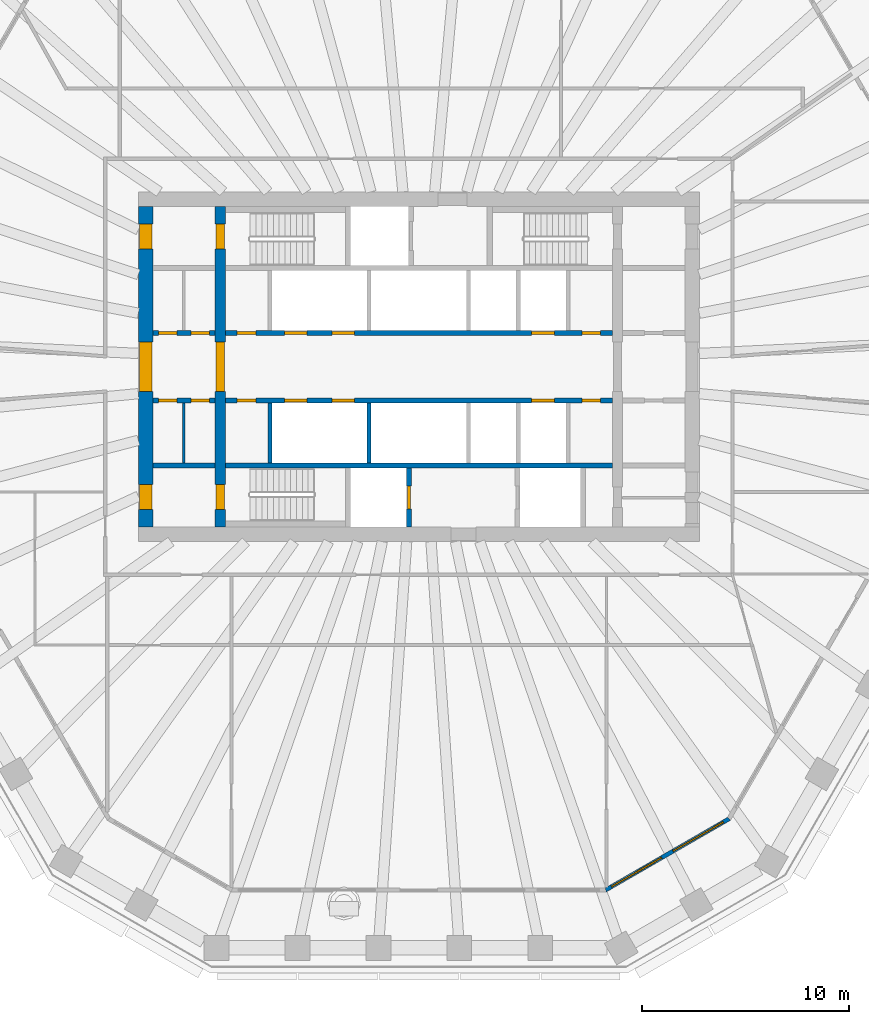
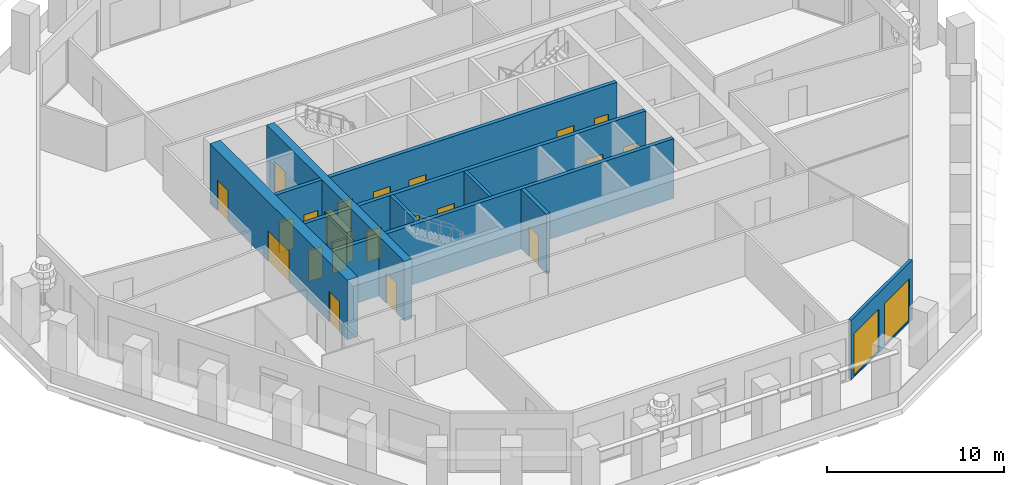
# One storey, part 4 of 12: 21 doors, 13 walls, 2 windows, 23 openings.
"""IFC4 building model written with IfcOpenShell, lengths in metres."""

from ifc_helpers import new_model, si_unit, direction, frame, frame_2d, origin, place, context, subcontext, project, spatial, polyline, rectangle, outline, extrude, material, layer, layer_set, type_object, element, fill, save


model = new_model("IFC4")

# Units and contexts
model_context = context("Model", 3, precision=1e-05, world=origin(), true_north=direction((0.0, 1.0)))
body_context = subcontext(model_context, "Body", "Model", "MODEL_VIEW")
ifc_project = project(units=[si_unit("LENGTHUNIT", "METRE"), si_unit("AREAUNIT", "SQUARE_METRE"), si_unit("VOLUMEUNIT", "CUBIC_METRE"), si_unit("PLANEANGLEUNIT", "RADIAN"), si_unit("MASSUNIT", "GRAM", prefix="KILO")], contexts=[model_context])

# Site, building, storey
site_placement = place(None, origin())
site = spatial("IfcSite", under=ifc_project, at=site_placement, CompositionType="ELEMENT")
building_placement = place(site_placement, origin())
building = spatial("IfcBuilding", under=site, at=building_placement, Name="Frailejon Research Tower", CompositionType="ELEMENT")
storey_placement = place(building_placement, frame((0.0, 0.0, 193.60009765625)))
storey = spatial("IfcBuildingStorey", under=building, at=storey_placement, Name="L42", CompositionType="ELEMENT", Elevation=193.60009765625)

# Wall
ifc_material_1 = material(Name="Plasterboard on steel studs", Category="steel")
ifc_layer_1 = layer(ifc_material_1, 0.125)
ifc_layer_set_1 = layer_set([ifc_layer_1], Name="Core partition 125")
wall_type_1 = type_object("IfcWallType", Name="Core partition 125", PredefinedType="PARTITIONING", material=ifc_layer_set_1)
wall_1_placement = place(storey_placement, frame((-11.35009765625, -4.64990234375, 0.0), z_axis=(0.0, 0.0, 1.0), x_axis=(0.0, 1.0, 0.0)))
element("IfcWall", 1, at=wall_1_placement, inside=storey, type_object=wall_type_1, Name="Core partition", PredefinedType="PARTITIONING", context=body_context, shape_type="SweptSolid", body=[
    extrude(rectangle(XDim=2.89990234375, YDim=0.125, at=frame_2d((1.449951171875, 0.0))), origin(), (0.0, 0.0, 1.0), 4.099853515625),
])

# Wall, openings, doors
ifc_material_2 = material(Name="Concrete C60/75", Category="concrete")
ifc_layer_2 = layer(ifc_material_2, 0.5)
ifc_layer_set_2 = layer_set([ifc_layer_2], Name="Core shear wall 500 C60/75")
wall_type_2 = type_object("IfcWallType", Name="Core shear wall 500 C60/75", PredefinedType="SHEAR", material=ifc_layer_set_2)
wall_2_placement = place(storey_placement, frame((-9.60009765625, -7.75, 0.0), z_axis=(0.0, 0.0, 1.0), x_axis=(0.0, 1.0, 0.0)))
wall_2 = element("IfcWall", 2, at=wall_2_placement, inside=storey, type_object=wall_type_2, Name="Core shear wall", PredefinedType="SHEAR", context=body_context, shape_type="SweptSolid", body=[
    extrude(rectangle(XDim=15.5, YDim=0.5, at=frame_2d((7.75, 0.0))), origin(), (0.0, 0.0, 1.0), 4.099853515625),
])
opening_1_placement = place(wall_2_placement, frame((6.550048828125, 0.0, 0.0)))
opening_1 = element("IfcOpeningElement", 3, at=opening_1_placement, cuts=wall_2, Name="Opening D2", PredefinedType="OPENING", context=body_context, shape_type="SweptSolid", body=[
    extrude(rectangle(XDim=2.39990234375, YDim=2.10009765625, at=frame_2d((1.199951171875, 1.050048828125))), frame((0.0, 0.260009765625, 0.0), z_axis=(0.0, -1.0, 0.0), x_axis=(1.0, 0.0, 0.0)), (0.0, 0.0, 1.0), 0.52001953125),
])
opening_2_placement = place(wall_2_placement, frame((13.449951171875, 0.0, 0.0)))
opening_2 = element("IfcOpeningElement", 4, at=opening_2_placement, cuts=wall_2, Name="Opening D1", PredefinedType="OPENING", context=body_context, shape_type="SweptSolid", body=[
    extrude(rectangle(XDim=1.199951171875, YDim=2.10009765625, at=frame_2d((0.60009765625, 1.050048828125))), frame((0.0, 0.260009765625, 0.0), z_axis=(0.0, -1.0, 0.0), x_axis=(1.0, 0.0, 0.0)), (0.0, 0.0, 1.0), 0.52001953125),
])
opening_3_placement = place(wall_2_placement, frame((0.85009765625, 0.0, 0.0)))
opening_3 = element("IfcOpeningElement", 5, at=opening_3_placement, cuts=wall_2, Name="Opening D1", PredefinedType="OPENING", context=body_context, shape_type="SweptSolid", body=[
    extrude(rectangle(XDim=1.199951171875, YDim=2.10009765625, at=frame_2d((0.60009765625, 1.050048828125))), frame((0.0, 0.260009765625, 0.0), z_axis=(0.0, -1.0, 0.0), x_axis=(1.0, 0.0, 0.0)), (0.0, 0.0, 1.0), 0.52001953125),
])
ifc_material_3 = material(Name="Steel", Category="steel")
door_type_1 = type_object("IfcDoorType", Name="Lobby double door", OperationType="DOUBLE_DOOR_SINGLE_SWING", PredefinedType="DOOR", material=ifc_material_3)
door_1_placement = place(opening_1_placement, origin())
door_1 = element("IfcDoor", 6, at=door_1_placement, inside=storey, type_object=door_type_1, Name="Lobby door", OperationType="DOUBLE_DOOR_SINGLE_SWING", OverallHeight=2.10009765625, OverallWidth=2.39990234375, PredefinedType="DOOR", context=body_context, shape_type="SweptSolid", body=[
    extrude(rectangle(XDim=2.39990234375, YDim=2.10009765625, at=frame_2d((1.199951171875, 1.050048828125))), frame((0.0, 0.199951171875, 0.0), z_axis=(0.0, -1.0, 0.0), x_axis=(1.0, 0.0, 0.0)), (0.0, 0.0, 1.0), 0.39990234375),
])
fill(opening_1, door_1)
ifc_material_4 = material(Name="Steel", Category="steel")
door_type_2 = type_object("IfcDoorType", Name="Stair door", OperationType="SINGLE_SWING_LEFT", PredefinedType="DOOR", material=ifc_material_4)
door_2_placement = place(opening_2_placement, origin())
door_2 = element("IfcDoor", 7, at=door_2_placement, inside=storey, type_object=door_type_2, Name="Stair door ST1", OperationType="SINGLE_SWING_LEFT", OverallHeight=2.10009765625, OverallWidth=1.199951171875, PredefinedType="DOOR", context=body_context, shape_type="SweptSolid", body=[
    extrude(rectangle(XDim=1.199951171875, YDim=2.10009765625, at=frame_2d((0.60009765625, 1.050048828125))), frame((0.0, 0.199951171875, 0.0), z_axis=(0.0, -1.0, 0.0), x_axis=(1.0, 0.0, 0.0)), (0.0, 0.0, 1.0), 0.39990234375),
])
fill(opening_2, door_2)
door_3_placement = place(opening_3_placement, origin())
door_3 = element("IfcDoor", 8, at=door_3_placement, inside=storey, type_object=door_type_2, Name="Stair door ST2", OperationType="SINGLE_SWING_LEFT", OverallHeight=2.10009765625, OverallWidth=1.199951171875, PredefinedType="DOOR", context=body_context, shape_type="SweptSolid", body=[
    extrude(rectangle(XDim=1.199951171875, YDim=2.10009765625, at=frame_2d((0.60009765625, 1.050048828125))), frame((0.0, 0.199951171875, 0.0), z_axis=(0.0, -1.0, 0.0), x_axis=(1.0, 0.0, 0.0)), (0.0, 0.0, 1.0), 0.39990234375),
])
fill(opening_3, door_3)

ifc_material_5 = material(Name="Concrete C60/75", Category="concrete")
ifc_layer_3 = layer(ifc_material_5, 0.699951171875)
ifc_layer_set_3 = layer_set([ifc_layer_3], Name="Core shear wall 700 C60/75")
wall_type_3 = type_object("IfcWallType", Name="Core shear wall 700 C60/75", PredefinedType="SHEAR", material=ifc_layer_set_3)
wall_3_placement = place(storey_placement, frame((-13.199951171875, -7.75, 0.0), z_axis=(0.0, 0.0, 1.0), x_axis=(0.0, 1.0, 0.0)))
wall_3 = element("IfcWall", 9, at=wall_3_placement, inside=storey, type_object=wall_type_3, Name="Core shear wall", PredefinedType="SHEAR", context=body_context, shape_type="SweptSolid", body=[
    extrude(rectangle(XDim=15.5, YDim=0.699951171875, at=frame_2d((7.75, 0.0))), origin(), (0.0, 0.0, 1.0), 4.099853515625),
])
opening_4_placement = place(wall_3_placement, frame((6.550048828125, 0.0, 0.0)))
opening_4 = element("IfcOpeningElement", 10, at=opening_4_placement, cuts=wall_3, Name="Opening D2", PredefinedType="OPENING", context=body_context, shape_type="SweptSolid", body=[
    extrude(rectangle(XDim=2.39990234375, YDim=2.10009765625, at=frame_2d((1.199951171875, 1.050048828125))), frame((0.0, 0.35986328125, 0.0), z_axis=(0.0, -1.0, 0.0), x_axis=(1.0, 0.0, 0.0)), (0.0, 0.0, 1.0), 0.719970703125),
])
opening_5_placement = place(wall_3_placement, frame((13.449951171875, 0.0, 0.0)))
opening_5 = element("IfcOpeningElement", 11, at=opening_5_placement, cuts=wall_3, Name="Opening D7", PredefinedType="OPENING", context=body_context, shape_type="SweptSolid", body=[
    extrude(rectangle(XDim=1.199951171875, YDim=2.10009765625, at=frame_2d((0.60009765625, 1.050048828125))), frame((0.0, 0.35986328125, 0.0), z_axis=(0.0, -1.0, 0.0), x_axis=(1.0, 0.0, 0.0)), (0.0, 0.0, 1.0), 0.719970703125),
])
opening_6_placement = place(wall_3_placement, frame((0.85009765625, 0.0, 0.0)))
opening_6 = element("IfcOpeningElement", 12, at=opening_6_placement, cuts=wall_3, Name="Opening D7", PredefinedType="OPENING", context=body_context, shape_type="SweptSolid", body=[
    extrude(rectangle(XDim=1.199951171875, YDim=2.10009765625, at=frame_2d((0.60009765625, 1.050048828125))), frame((0.0, 0.35986328125, 0.0), z_axis=(0.0, -1.0, 0.0), x_axis=(1.0, 0.0, 0.0)), (0.0, 0.0, 1.0), 0.719970703125),
])
door_4_placement = place(opening_4_placement, origin())
door_4 = element("IfcDoor", 13, at=door_4_placement, inside=storey, type_object=door_type_1, Name="Lobby door", OperationType="DOUBLE_DOOR_SINGLE_SWING", OverallHeight=2.10009765625, OverallWidth=2.39990234375, PredefinedType="DOOR", context=body_context, shape_type="SweptSolid", body=[
    extrude(rectangle(XDim=2.39990234375, YDim=2.10009765625, at=frame_2d((1.199951171875, 1.050048828125))), frame((0.0, 0.300048828125, 0.0), z_axis=(0.0, -1.0, 0.0), x_axis=(1.0, 0.0, 0.0)), (0.0, 0.0, 1.0), 0.60009765625),
])
fill(opening_4, door_4)
ifc_material_6 = material(Name="Steel", Category="steel")
door_type_3 = type_object("IfcDoorType", Name="Stair exit door", OperationType="SINGLE_SWING_LEFT", PredefinedType="DOOR", material=ifc_material_6)
door_5_placement = place(opening_5_placement, origin())
door_5 = element("IfcDoor", 14, at=door_5_placement, inside=storey, type_object=door_type_3, Name="Stair exit door ST1", OperationType="SINGLE_SWING_RIGHT", OverallHeight=2.10009765625, OverallWidth=1.199951171875, PredefinedType="DOOR", context=body_context, shape_type="SweptSolid", body=[
    extrude(rectangle(XDim=1.199951171875, YDim=2.10009765625, at=frame_2d((0.60009765625, 1.050048828125))), frame((0.0, 0.300048828125, 0.0), z_axis=(0.0, -1.0, 0.0), x_axis=(1.0, 0.0, 0.0)), (0.0, 0.0, 1.0), 0.60009765625),
])
fill(opening_5, door_5)
door_6_placement = place(opening_6_placement, origin())
door_6 = element("IfcDoor", 15, at=door_6_placement, inside=storey, type_object=door_type_3, Name="Stair exit door ST2", OperationType="SINGLE_SWING_RIGHT", OverallHeight=2.10009765625, OverallWidth=1.199951171875, PredefinedType="DOOR", context=body_context, shape_type="SweptSolid", body=[
    extrude(rectangle(XDim=1.199951171875, YDim=2.10009765625, at=frame_2d((0.60009765625, 1.050048828125))), frame((0.0, 0.300048828125, 0.0), z_axis=(0.0, -1.0, 0.0), x_axis=(1.0, 0.0, 0.0)), (0.0, 0.0, 1.0), 0.60009765625),
])
fill(opening_6, door_6)

# Walls
ifc_material_7 = material(Name="Concrete C60/75", Category="concrete")
ifc_layer_4 = layer(ifc_material_7, 0.199951171875)
ifc_layer_set_4 = layer_set([ifc_layer_4], Name="Shaft wall 200 C60/75")
wall_type_4 = type_object("IfcWallType", Name="Shaft wall 200 C60/75", PredefinedType="SOLIDWALL", material=ifc_layer_set_4)
for number, where, z_axis, x_axis, name in (
    (16, (-7.199951171875, -4.64990234375, 0.0), (0.0, 0.0, 1.0), (0.0, 1.0, 0.0), "Shaft wall"),
    (17, (-2.39990234375, -4.64990234375, 0.0), (0.0, 0.0, 1.0), (0.0, 1.0, 0.0), "Shaft wall"),
):
    element("IfcWall", number, at=place(storey_placement, frame(where, z_axis=z_axis, x_axis=x_axis)), inside=storey, type_object=wall_type_4, Name=name, PredefinedType="SOLIDWALL", context=body_context, shape_type="SweptSolid", body=[
        extrude(rectangle(XDim=2.89990234375, YDim=0.199951171875, at=frame_2d((1.449951171875, 0.0))), origin(), (0.0, 0.0, 1.0), 4.099853515625),
    ])

# Wall, openings, doors
ifc_material_8 = material(Name="Concrete C60/75", Category="concrete")
ifc_layer_5 = layer(ifc_material_8, 0.25)
ifc_layer_set_5 = layer_set([ifc_layer_5], Name="Shaft wall 250 C60/75")
wall_type_5 = type_object("IfcWallType", Name="Shaft wall 250 C60/75", PredefinedType="SOLIDWALL", material=ifc_layer_set_5)
wall_4_placement = place(storey_placement, frame((-12.85009765625, 1.625, 0.0), z_axis=(0.0, 0.0, 1.0), x_axis=(1.0, 0.0, 0.0)))
wall_4 = element("IfcWall", 18, at=wall_4_placement, inside=storey, type_object=wall_type_5, Name="Shaft wall", PredefinedType="SOLIDWALL", context=body_context, shape_type="SweptSolid", body=[
    extrude(rectangle(XDim=3.0, YDim=0.25, at=frame_2d((1.5, 0.0))), origin(), (0.0, 0.0, 1.0), 4.099853515625),
])
opening_7_placement = place(wall_4_placement, frame((0.268798828125, 0.0, 0.0)))
opening_7 = element("IfcOpeningElement", 19, at=opening_7_placement, cuts=wall_4, Name="Opening D8", PredefinedType="OPENING", context=body_context, shape_type="SweptSolid", body=[
    extrude(rectangle(XDim=0.89990234375, YDim=2.10009765625, at=frame_2d((0.449951171875, 1.050048828125))), frame((0.0, 0.135009765625, 0.0), z_axis=(0.0, -1.0, 0.0), x_axis=(1.0, 0.0, 0.0)), (0.0, 0.0, 1.0), 0.27001953125),
])
opening_8_placement = place(wall_4_placement, frame((1.831298828125, 0.0, 0.0)))
opening_8 = element("IfcOpeningElement", 20, at=opening_8_placement, cuts=wall_4, Name="Opening D8", PredefinedType="OPENING", context=body_context, shape_type="SweptSolid", body=[
    extrude(rectangle(XDim=0.89990234375, YDim=2.10009765625, at=frame_2d((0.449951171875, 1.050048828125))), frame((0.0, 0.135009765625, 0.0), z_axis=(0.0, -1.0, 0.0), x_axis=(1.0, 0.0, 0.0)), (0.0, 0.0, 1.0), 0.27001953125),
])
ifc_material_9 = material(Name="Steel", Category="steel")
door_type_4 = type_object("IfcDoorType", Name="Core room door", OperationType="SINGLE_SWING_LEFT", PredefinedType="DOOR", material=ifc_material_9)
door_7_placement = place(opening_7_placement, origin())
door_7 = element("IfcDoor", 21, at=door_7_placement, inside=storey, type_object=door_type_4, Name="Room door", OperationType="SINGLE_SWING_RIGHT", OverallHeight=2.10009765625, OverallWidth=0.89990234375, PredefinedType="DOOR", context=body_context, shape_type="SweptSolid", body=[
    extrude(rectangle(XDim=0.89990234375, YDim=2.10009765625, at=frame_2d((0.449951171875, 1.050048828125))), frame((0.0, 0.074951171875, 0.0), z_axis=(0.0, -1.0, 0.0), x_axis=(1.0, 0.0, 0.0)), (0.0, 0.0, 1.0), 0.14990234375),
])
fill(opening_7, door_7)
door_8_placement = place(opening_8_placement, origin())
door_8 = element("IfcDoor", 22, at=door_8_placement, inside=storey, type_object=door_type_4, Name="Room door", OperationType="SINGLE_SWING_LEFT", OverallHeight=2.10009765625, OverallWidth=0.89990234375, PredefinedType="DOOR", context=body_context, shape_type="SweptSolid", body=[
    extrude(rectangle(XDim=0.89990234375, YDim=2.10009765625, at=frame_2d((0.449951171875, 1.050048828125))), frame((0.0, 0.074951171875, 0.0), z_axis=(0.0, -1.0, 0.0), x_axis=(1.0, 0.0, 0.0)), (0.0, 0.0, 1.0), 0.14990234375),
])
fill(opening_8, door_8)

wall_5_placement = place(storey_placement, frame((-9.35009765625, 1.625, 0.0), z_axis=(0.0, 0.0, 1.0), x_axis=(1.0, 0.0, 0.0)))
wall_5 = element("IfcWall", 23, at=wall_5_placement, inside=storey, type_object=wall_type_5, Name="Shaft wall", PredefinedType="SOLIDWALL", context=body_context, shape_type="SweptSolid", body=[
    extrude(rectangle(XDim=18.7001953125, YDim=0.25, at=frame_2d((9.35009765625, 0.0))), origin(), (0.0, 0.0, 1.0), 4.099853515625),
])
opening_9_placement = place(wall_5_placement, frame((2.85009765625, 0.0, 0.0)))
opening_9 = element("IfcOpeningElement", 24, at=opening_9_placement, cuts=wall_5, Name="Opening LD", PredefinedType="OPENING", context=body_context, shape_type="SweptSolid", body=[
    extrude(rectangle(XDim=1.10009765625, YDim=2.10009765625, at=frame_2d((0.550048828125, 1.050048828125))), frame((0.0, 0.135009765625, 0.0), z_axis=(0.0, -1.0, 0.0), x_axis=(1.0, 0.0, 0.0)), (0.0, 0.0, 1.0), 0.27001953125),
])
opening_10_placement = place(wall_5_placement, frame((5.14990234375, 0.0, 0.0)))
opening_10 = element("IfcOpeningElement", 25, at=opening_10_placement, cuts=wall_5, Name="Opening LD", PredefinedType="OPENING", context=body_context, shape_type="SweptSolid", body=[
    extrude(rectangle(XDim=1.10009765625, YDim=2.10009765625, at=frame_2d((0.550048828125, 1.050048828125))), frame((0.0, 0.135009765625, 0.0), z_axis=(0.0, -1.0, 0.0), x_axis=(1.0, 0.0, 0.0)), (0.0, 0.0, 1.0), 0.27001953125),
])
opening_11_placement = place(wall_5_placement, frame((14.800048828125, 0.0, 0.0)))
opening_11 = element("IfcOpeningElement", 26, at=opening_11_placement, cuts=wall_5, Name="Opening LD", PredefinedType="OPENING", context=body_context, shape_type="SweptSolid", body=[
    extrude(rectangle(XDim=1.10009765625, YDim=2.10009765625, at=frame_2d((0.550048828125, 1.050048828125))), frame((0.0, 0.135009765625, 0.0), z_axis=(0.0, -1.0, 0.0), x_axis=(1.0, 0.0, 0.0)), (0.0, 0.0, 1.0), 0.27001953125),
])
opening_12_placement = place(wall_5_placement, frame((0.574951171875, 0.0, 0.0)))
opening_12 = element("IfcOpeningElement", 27, at=opening_12_placement, cuts=wall_5, Name="Opening D8", PredefinedType="OPENING", context=body_context, shape_type="SweptSolid", body=[
    extrude(rectangle(XDim=0.89990234375, YDim=2.10009765625, at=frame_2d((0.449951171875, 1.050048828125))), frame((0.0, 0.135009765625, 0.0), z_axis=(0.0, -1.0, 0.0), x_axis=(1.0, 0.0, 0.0)), (0.0, 0.0, 1.0), 0.27001953125),
])
opening_13_placement = place(wall_5_placement, frame((17.22509765625, 0.0, 0.0)))
opening_13 = element("IfcOpeningElement", 28, at=opening_13_placement, cuts=wall_5, Name="Opening D8", PredefinedType="OPENING", context=body_context, shape_type="SweptSolid", body=[
    extrude(rectangle(XDim=0.89990234375, YDim=2.10009765625, at=frame_2d((0.449951171875, 1.050048828125))), frame((0.0, 0.135009765625, 0.0), z_axis=(0.0, -1.0, 0.0), x_axis=(1.0, 0.0, 0.0)), (0.0, 0.0, 1.0), 0.27001953125),
])
door_9_placement = place(opening_12_placement, origin())
door_9 = element("IfcDoor", 29, at=door_9_placement, inside=storey, type_object=door_type_4, Name="Room door", OperationType="SINGLE_SWING_RIGHT", OverallHeight=2.10009765625, OverallWidth=0.89990234375, PredefinedType="DOOR", context=body_context, shape_type="SweptSolid", body=[
    extrude(rectangle(XDim=0.89990234375, YDim=2.10009765625, at=frame_2d((0.449951171875, 1.050048828125))), frame((0.0, 0.074951171875, 0.0), z_axis=(0.0, -1.0, 0.0), x_axis=(1.0, 0.0, 0.0)), (0.0, 0.0, 1.0), 0.14990234375),
])
fill(opening_12, door_9)
door_10_placement = place(opening_13_placement, origin())
door_10 = element("IfcDoor", 30, at=door_10_placement, inside=storey, type_object=door_type_4, Name="Room door", OperationType="SINGLE_SWING_LEFT", OverallHeight=2.10009765625, OverallWidth=0.89990234375, PredefinedType="DOOR", context=body_context, shape_type="SweptSolid", body=[
    extrude(rectangle(XDim=0.89990234375, YDim=2.10009765625, at=frame_2d((0.449951171875, 1.050048828125))), frame((0.0, 0.074951171875, 0.0), z_axis=(0.0, -1.0, 0.0), x_axis=(1.0, 0.0, 0.0)), (0.0, 0.0, 1.0), 0.14990234375),
])
fill(opening_13, door_10)
ifc_material_10 = material(Name="Steel", Category="steel")
door_type_5 = type_object("IfcDoorType", Name="Lift landing door", OperationType="DOUBLE_DOOR_SLIDING", PredefinedType="DOOR", material=ifc_material_10)
door_11_placement = place(opening_9_placement, origin())
door_11 = element("IfcDoor", 31, at=door_11_placement, inside=storey, type_object=door_type_5, Name="Lift landing door", OperationType="DOUBLE_DOOR_SLIDING", OverallHeight=2.10009765625, OverallWidth=1.10009765625, PredefinedType="DOOR", context=body_context, shape_type="SweptSolid", body=[
    extrude(rectangle(XDim=1.10009765625, YDim=2.10009765625, at=frame_2d((0.550048828125, 1.050048828125))), frame((0.0, 0.074951171875, 0.0), z_axis=(0.0, -1.0, 0.0), x_axis=(1.0, 0.0, 0.0)), (0.0, 0.0, 1.0), 0.14990234375),
])
fill(opening_9, door_11)
door_12_placement = place(opening_10_placement, origin())
door_12 = element("IfcDoor", 32, at=door_12_placement, inside=storey, type_object=door_type_5, Name="Lift landing door", OperationType="DOUBLE_DOOR_SLIDING", OverallHeight=2.10009765625, OverallWidth=1.10009765625, PredefinedType="DOOR", context=body_context, shape_type="SweptSolid", body=[
    extrude(rectangle(XDim=1.10009765625, YDim=2.10009765625, at=frame_2d((0.550048828125, 1.050048828125))), frame((0.0, 0.074951171875, 0.0), z_axis=(0.0, -1.0, 0.0), x_axis=(1.0, 0.0, 0.0)), (0.0, 0.0, 1.0), 0.14990234375),
])
fill(opening_10, door_12)
door_13_placement = place(opening_11_placement, origin())
door_13 = element("IfcDoor", 33, at=door_13_placement, inside=storey, type_object=door_type_5, Name="Lift landing door", OperationType="DOUBLE_DOOR_SLIDING", OverallHeight=2.10009765625, OverallWidth=1.10009765625, PredefinedType="DOOR", context=body_context, shape_type="SweptSolid", body=[
    extrude(rectangle(XDim=1.10009765625, YDim=2.10009765625, at=frame_2d((0.550048828125, 1.050048828125))), frame((0.0, 0.074951171875, 0.0), z_axis=(0.0, -1.0, 0.0), x_axis=(1.0, 0.0, 0.0)), (0.0, 0.0, 1.0), 0.14990234375),
])
fill(opening_11, door_13)

wall_6_placement = place(storey_placement, frame((-12.85009765625, -1.625, 0.0), z_axis=(0.0, 0.0, 1.0), x_axis=(1.0, 0.0, 0.0)))
wall_6 = element("IfcWall", 34, at=wall_6_placement, inside=storey, type_object=wall_type_5, Name="Shaft wall", PredefinedType="SOLIDWALL", context=body_context, shape_type="SweptSolid", body=[
    extrude(rectangle(XDim=3.0, YDim=0.25, at=frame_2d((1.5, 0.0))), origin(), (0.0, 0.0, 1.0), 4.099853515625),
])
opening_14_placement = place(wall_6_placement, frame((0.268798828125, 0.0, 0.0)))
opening_14 = element("IfcOpeningElement", 35, at=opening_14_placement, cuts=wall_6, Name="Opening D8", PredefinedType="OPENING", context=body_context, shape_type="SweptSolid", body=[
    extrude(rectangle(XDim=0.89990234375, YDim=2.10009765625, at=frame_2d((0.449951171875, 1.050048828125))), frame((0.0, 0.135009765625, 0.0), z_axis=(0.0, -1.0, 0.0), x_axis=(1.0, 0.0, 0.0)), (0.0, 0.0, 1.0), 0.27001953125),
])
opening_15_placement = place(wall_6_placement, frame((1.831298828125, 0.0, 0.0)))
opening_15 = element("IfcOpeningElement", 36, at=opening_15_placement, cuts=wall_6, Name="Opening D8", PredefinedType="OPENING", context=body_context, shape_type="SweptSolid", body=[
    extrude(rectangle(XDim=0.89990234375, YDim=2.10009765625, at=frame_2d((0.449951171875, 1.050048828125))), frame((0.0, 0.135009765625, 0.0), z_axis=(0.0, -1.0, 0.0), x_axis=(1.0, 0.0, 0.0)), (0.0, 0.0, 1.0), 0.27001953125),
])
door_14_placement = place(opening_14_placement, origin())
door_14 = element("IfcDoor", 37, at=door_14_placement, inside=storey, type_object=door_type_4, Name="Room door", OperationType="SINGLE_SWING_LEFT", OverallHeight=2.10009765625, OverallWidth=0.89990234375, PredefinedType="DOOR", context=body_context, shape_type="SweptSolid", body=[
    extrude(rectangle(XDim=0.89990234375, YDim=2.10009765625, at=frame_2d((0.449951171875, 1.050048828125))), frame((0.0, 0.074951171875, 0.0), z_axis=(0.0, -1.0, 0.0), x_axis=(1.0, 0.0, 0.0)), (0.0, 0.0, 1.0), 0.14990234375),
])
fill(opening_14, door_14)
door_15_placement = place(opening_15_placement, origin())
door_15 = element("IfcDoor", 38, at=door_15_placement, inside=storey, type_object=door_type_4, Name="Room door", OperationType="SINGLE_SWING_RIGHT", OverallHeight=2.10009765625, OverallWidth=0.89990234375, PredefinedType="DOOR", context=body_context, shape_type="SweptSolid", body=[
    extrude(rectangle(XDim=0.89990234375, YDim=2.10009765625, at=frame_2d((0.449951171875, 1.050048828125))), frame((0.0, 0.074951171875, 0.0), z_axis=(0.0, -1.0, 0.0), x_axis=(1.0, 0.0, 0.0)), (0.0, 0.0, 1.0), 0.14990234375),
])
fill(opening_15, door_15)

wall_7_placement = place(storey_placement, frame((-9.35009765625, -1.625, 0.0), z_axis=(0.0, 0.0, 1.0), x_axis=(1.0, 0.0, 0.0)))
wall_7 = element("IfcWall", 39, at=wall_7_placement, inside=storey, type_object=wall_type_5, Name="Shaft wall", PredefinedType="SOLIDWALL", context=body_context, shape_type="SweptSolid", body=[
    extrude(rectangle(XDim=18.7001953125, YDim=0.25, at=frame_2d((9.35009765625, 0.0))), origin(), (0.0, 0.0, 1.0), 4.099853515625),
])
opening_16_placement = place(wall_7_placement, frame((2.85009765625, 0.0, 0.0)))
opening_16 = element("IfcOpeningElement", 40, at=opening_16_placement, cuts=wall_7, Name="Opening LD", PredefinedType="OPENING", context=body_context, shape_type="SweptSolid", body=[
    extrude(rectangle(XDim=1.10009765625, YDim=2.10009765625, at=frame_2d((0.550048828125, 1.050048828125))), frame((0.0, 0.135009765625, 0.0), z_axis=(0.0, -1.0, 0.0), x_axis=(1.0, 0.0, 0.0)), (0.0, 0.0, 1.0), 0.27001953125),
])
opening_17_placement = place(wall_7_placement, frame((5.14990234375, 0.0, 0.0)))
opening_17 = element("IfcOpeningElement", 41, at=opening_17_placement, cuts=wall_7, Name="Opening LD", PredefinedType="OPENING", context=body_context, shape_type="SweptSolid", body=[
    extrude(rectangle(XDim=1.10009765625, YDim=2.10009765625, at=frame_2d((0.550048828125, 1.050048828125))), frame((0.0, 0.135009765625, 0.0), z_axis=(0.0, -1.0, 0.0), x_axis=(1.0, 0.0, 0.0)), (0.0, 0.0, 1.0), 0.27001953125),
])
opening_18_placement = place(wall_7_placement, frame((14.800048828125, 0.0, 0.0)))
opening_18 = element("IfcOpeningElement", 42, at=opening_18_placement, cuts=wall_7, Name="Opening LD", PredefinedType="OPENING", context=body_context, shape_type="SweptSolid", body=[
    extrude(rectangle(XDim=1.10009765625, YDim=2.10009765625, at=frame_2d((0.550048828125, 1.050048828125))), frame((0.0, 0.135009765625, 0.0), z_axis=(0.0, -1.0, 0.0), x_axis=(1.0, 0.0, 0.0)), (0.0, 0.0, 1.0), 0.27001953125),
])
opening_19_placement = place(wall_7_placement, frame((0.574951171875, 0.0, 0.0)))
opening_19 = element("IfcOpeningElement", 43, at=opening_19_placement, cuts=wall_7, Name="Opening D8", PredefinedType="OPENING", context=body_context, shape_type="SweptSolid", body=[
    extrude(rectangle(XDim=0.89990234375, YDim=2.10009765625, at=frame_2d((0.449951171875, 1.050048828125))), frame((0.0, 0.135009765625, 0.0), z_axis=(0.0, -1.0, 0.0), x_axis=(1.0, 0.0, 0.0)), (0.0, 0.0, 1.0), 0.27001953125),
])
opening_20_placement = place(wall_7_placement, frame((17.22509765625, 0.0, 0.0)))
opening_20 = element("IfcOpeningElement", 44, at=opening_20_placement, cuts=wall_7, Name="Opening D8", PredefinedType="OPENING", context=body_context, shape_type="SweptSolid", body=[
    extrude(rectangle(XDim=0.89990234375, YDim=2.10009765625, at=frame_2d((0.449951171875, 1.050048828125))), frame((0.0, 0.135009765625, 0.0), z_axis=(0.0, -1.0, 0.0), x_axis=(1.0, 0.0, 0.0)), (0.0, 0.0, 1.0), 0.27001953125),
])
door_16_placement = place(opening_19_placement, origin())
door_16 = element("IfcDoor", 45, at=door_16_placement, inside=storey, type_object=door_type_4, Name="Room door", OperationType="SINGLE_SWING_LEFT", OverallHeight=2.10009765625, OverallWidth=0.89990234375, PredefinedType="DOOR", context=body_context, shape_type="SweptSolid", body=[
    extrude(rectangle(XDim=0.89990234375, YDim=2.10009765625, at=frame_2d((0.449951171875, 1.050048828125))), frame((0.0, 0.074951171875, 0.0), z_axis=(0.0, -1.0, 0.0), x_axis=(1.0, 0.0, 0.0)), (0.0, 0.0, 1.0), 0.14990234375),
])
fill(opening_19, door_16)
door_17_placement = place(opening_20_placement, origin())
door_17 = element("IfcDoor", 46, at=door_17_placement, inside=storey, type_object=door_type_4, Name="Room door", OperationType="SINGLE_SWING_RIGHT", OverallHeight=2.10009765625, OverallWidth=0.89990234375, PredefinedType="DOOR", context=body_context, shape_type="SweptSolid", body=[
    extrude(rectangle(XDim=0.89990234375, YDim=2.10009765625, at=frame_2d((0.449951171875, 1.050048828125))), frame((0.0, 0.074951171875, 0.0), z_axis=(0.0, -1.0, 0.0), x_axis=(1.0, 0.0, 0.0)), (0.0, 0.0, 1.0), 0.14990234375),
])
fill(opening_20, door_17)
door_18_placement = place(opening_16_placement, origin())
door_18 = element("IfcDoor", 47, at=door_18_placement, inside=storey, type_object=door_type_5, Name="Lift landing door", OperationType="DOUBLE_DOOR_SLIDING", OverallHeight=2.10009765625, OverallWidth=1.10009765625, PredefinedType="DOOR", context=body_context, shape_type="SweptSolid", body=[
    extrude(rectangle(XDim=1.10009765625, YDim=2.10009765625, at=frame_2d((0.550048828125, 1.050048828125))), frame((0.0, 0.074951171875, 0.0), z_axis=(0.0, -1.0, 0.0), x_axis=(1.0, 0.0, 0.0)), (0.0, 0.0, 1.0), 0.14990234375),
])
fill(opening_16, door_18)
door_19_placement = place(opening_17_placement, origin())
door_19 = element("IfcDoor", 48, at=door_19_placement, inside=storey, type_object=door_type_5, Name="Lift landing door", OperationType="DOUBLE_DOOR_SLIDING", OverallHeight=2.10009765625, OverallWidth=1.10009765625, PredefinedType="DOOR", context=body_context, shape_type="SweptSolid", body=[
    extrude(rectangle(XDim=1.10009765625, YDim=2.10009765625, at=frame_2d((0.550048828125, 1.050048828125))), frame((0.0, 0.074951171875, 0.0), z_axis=(0.0, -1.0, 0.0), x_axis=(1.0, 0.0, 0.0)), (0.0, 0.0, 1.0), 0.14990234375),
])
fill(opening_17, door_19)
door_20_placement = place(opening_18_placement, origin())
door_20 = element("IfcDoor", 49, at=door_20_placement, inside=storey, type_object=door_type_5, Name="Lift landing door", OperationType="DOUBLE_DOOR_SLIDING", OverallHeight=2.10009765625, OverallWidth=1.10009765625, PredefinedType="DOOR", context=body_context, shape_type="SweptSolid", body=[
    extrude(rectangle(XDim=1.10009765625, YDim=2.10009765625, at=frame_2d((0.550048828125, 1.050048828125))), frame((0.0, 0.074951171875, 0.0), z_axis=(0.0, -1.0, 0.0), x_axis=(1.0, 0.0, 0.0)), (0.0, 0.0, 1.0), 0.14990234375),
])
fill(opening_18, door_20)

# Walls
wall_8_placement = place(storey_placement, frame((-12.85009765625, -4.77490234375, 0.0), z_axis=(0.0, 0.0, 1.0), x_axis=(1.0, 0.0, 0.0)))
element("IfcWall", 50, at=wall_8_placement, inside=storey, type_object=wall_type_5, Name="Shaft wall", PredefinedType="SOLIDWALL", context=body_context, shape_type="SweptSolid", body=[
    extrude(rectangle(XDim=3.0, YDim=0.25, at=frame_2d((1.5, 0.0))), origin(), (0.0, 0.0, 1.0), 4.099853515625),
])
wall_9_placement = place(storey_placement, frame((-9.35009765625, -4.77490234375, 0.0), z_axis=(0.0, 0.0, 1.0), x_axis=(1.0, 0.0, 0.0)))
element("IfcWall", 51, at=wall_9_placement, inside=storey, type_object=wall_type_5, Name="Shaft wall", PredefinedType="SOLIDWALL", context=body_context, shape_type="SweptSolid", body=[
    extrude(rectangle(XDim=18.7001953125, YDim=0.25, at=frame_2d((9.35009765625, 0.0))), origin(), (0.0, 0.0, 1.0), 4.099853515625),
])

# Wall, opening, door
wall_10_placement = place(storey_placement, frame((-0.47509765625, -7.75, 0.0), z_axis=(0.0, 0.0, 1.0), x_axis=(0.0, 1.0, 0.0)))
wall_10 = element("IfcWall", 52, at=wall_10_placement, inside=storey, type_object=wall_type_5, Name="Shaft wall", PredefinedType="SOLIDWALL", context=body_context, shape_type="SweptSolid", body=[
    extrude(rectangle(XDim=2.85009765625, YDim=0.25, at=frame_2d((1.425048828125, 0.0))), origin(), (0.0, 0.0, 1.0), 4.099853515625),
])
opening_21_placement = place(wall_10_placement, frame((0.875, 0.0, 0.0)))
opening_21 = element("IfcOpeningElement", 53, at=opening_21_placement, cuts=wall_10, Name="Opening LD", PredefinedType="OPENING", context=body_context, shape_type="SweptSolid", body=[
    extrude(rectangle(XDim=1.10009765625, YDim=2.10009765625, at=frame_2d((0.550048828125, 1.050048828125))), frame((0.0, 0.135009765625, 0.0), z_axis=(0.0, -1.0, 0.0), x_axis=(1.0, 0.0, 0.0)), (0.0, 0.0, 1.0), 0.27001953125),
])
door_21_placement = place(opening_21_placement, origin())
door_21 = element("IfcDoor", 54, at=door_21_placement, inside=storey, type_object=door_type_5, Name="Lift landing door", OperationType="DOUBLE_DOOR_SLIDING", OverallHeight=2.10009765625, OverallWidth=1.10009765625, PredefinedType="DOOR", context=body_context, shape_type="SweptSolid", body=[
    extrude(rectangle(XDim=1.10009765625, YDim=2.10009765625, at=frame_2d((0.550048828125, 1.050048828125))), frame((0.0, 0.074951171875, 0.0), z_axis=(0.0, -1.0, 0.0), x_axis=(1.0, 0.0, 0.0)), (0.0, 0.0, 1.0), 0.14990234375),
])
fill(opening_21, door_21)

# Wall, openings, windows
ifc_material_11 = material(Name="Concrete C40/50 precast window wall panel", Category="concrete")
ifc_layer_6 = layer(ifc_material_11, 0.199951171875)
ifc_layer_set_6 = layer_set([ifc_layer_6], Name="Window wall 200")
wall_type_6 = type_object("IfcWallType", Name="Window wall 200", PredefinedType="SOLIDWALL", material=ifc_layer_set_6)
wall_11_placement = place(storey_placement, frame((9.03125, -25.28271484375, 0.0), z_axis=(0.0, 0.0, 1.0), x_axis=(0.866029458321, 0.49999297727, 0.0)))
wall_11 = element("IfcWall", 55, at=wall_11_placement, inside=storey, type_object=wall_type_6, Name="Exterior wall L42", PredefinedType="SOLIDWALL", context=body_context, shape_type="SweptSolid", body=[
    extrude(outline(polyline([(-0.02685546875, -0.10009765625), (1.1279296875, -0.10009765625), (2.282470703125, -0.10009765625), (3.437255859375, -0.10009765625), (4.592041015625, -0.10009765625), (5.74658203125, -0.10009765625), (6.9013671875, -0.10009765625), (6.84765625, 0.10009765625), (5.7109375, 0.10009765625), (4.573974609375, 0.10009765625), (3.437255859375, 0.10009765625), (2.300537109375, 0.10009765625), (1.16357421875, 0.10009765625), (0.02685546875, 0.10009765625), (-0.02685546875, -0.10009765625)])), origin(), (0.0, 0.0, 1.0), 4.099853515625),
])
opening_22_placement = place(wall_11_placement, frame((0.318603515625, 0.0, 0.10009765625)))
opening_22 = element("IfcOpeningElement", 56, at=opening_22_placement, cuts=wall_11, Name="Opening W3", PredefinedType="OPENING", context=body_context, shape_type="SweptSolid", body=[
    extrude(rectangle(XDim=2.800048828125, YDim=2.89990234375, at=frame_2d((1.39990234375, 1.449951171875))), frame((0.0, 0.10986328125, 0.0), z_axis=(0.0, -1.0, 0.0), x_axis=(1.0, 0.0, 0.0)), (0.0, 0.0, 1.0), 0.219970703125),
])
opening_23_placement = place(wall_11_placement, frame((3.756103515625, 0.0, 0.10009765625)))
opening_23 = element("IfcOpeningElement", 57, at=opening_23_placement, cuts=wall_11, Name="Opening W3", PredefinedType="OPENING", context=body_context, shape_type="SweptSolid", body=[
    extrude(rectangle(XDim=2.800048828125, YDim=2.89990234375, at=frame_2d((1.39990234375, 1.449951171875))), frame((0.0, 0.10986328125, 0.0), z_axis=(0.0, -1.0, 0.0), x_axis=(1.0, 0.0, 0.0)), (0.0, 0.0, 1.0), 0.219970703125),
])
ifc_material_12 = material(Name="Aluminium framed double glazing", Category="aluminium")
window_type = type_object("IfcWindowType", Name="Window 2800x2900", PartitioningType="SINGLE_PANEL", PredefinedType="WINDOW", material=ifc_material_12)
window_1_placement = place(opening_22_placement, origin())
window_1 = element("IfcWindow", 58, at=window_1_placement, inside=storey, type_object=window_type, Name="Window L42", OverallHeight=2.89990234375, OverallWidth=2.800048828125, PartitioningType="SINGLE_PANEL", PredefinedType="WINDOW", context=body_context, shape_type="SweptSolid", body=[
    extrude(rectangle(XDim=2.800048828125, YDim=2.89990234375, at=frame_2d((1.39990234375, 1.449951171875))), frame((0.0, 0.030029296875, 0.0), z_axis=(0.0, -1.0, 0.0), x_axis=(1.0, 0.0, 0.0)), (0.0, 0.0, 1.0), 0.06005859375),
])
fill(opening_22, window_1)
window_2_placement = place(opening_23_placement, origin())
window_2 = element("IfcWindow", 59, at=window_2_placement, inside=storey, type_object=window_type, Name="Window L42", OverallHeight=2.89990234375, OverallWidth=2.800048828125, PartitioningType="SINGLE_PANEL", PredefinedType="WINDOW", context=body_context, shape_type="SweptSolid", body=[
    extrude(rectangle(XDim=2.800048828125, YDim=2.89990234375, at=frame_2d((1.39990234375, 1.449951171875))), frame((0.0, 0.030029296875, 0.0), z_axis=(0.0, -1.0, 0.0), x_axis=(1.0, 0.0, 0.0)), (0.0, 0.0, 1.0), 0.06005859375),
])
fill(opening_23, window_2)

save(model, "model.ifc")
